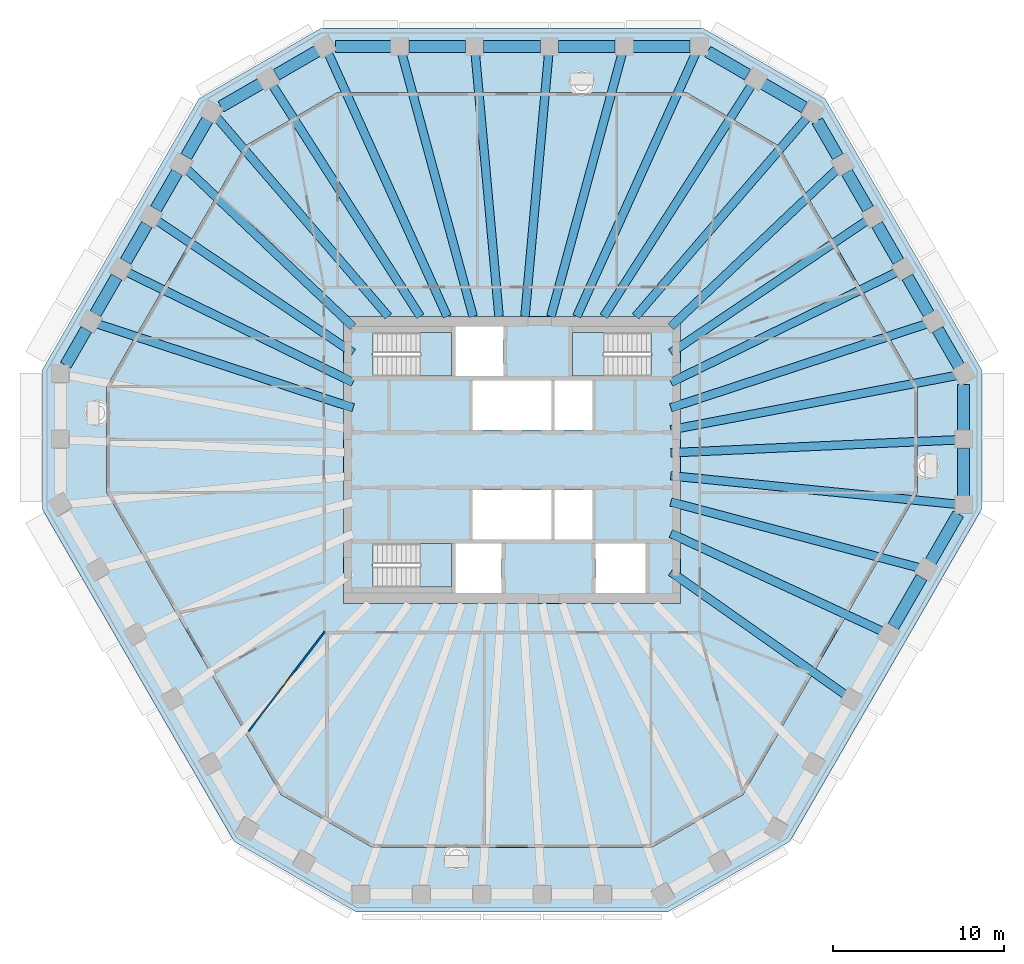
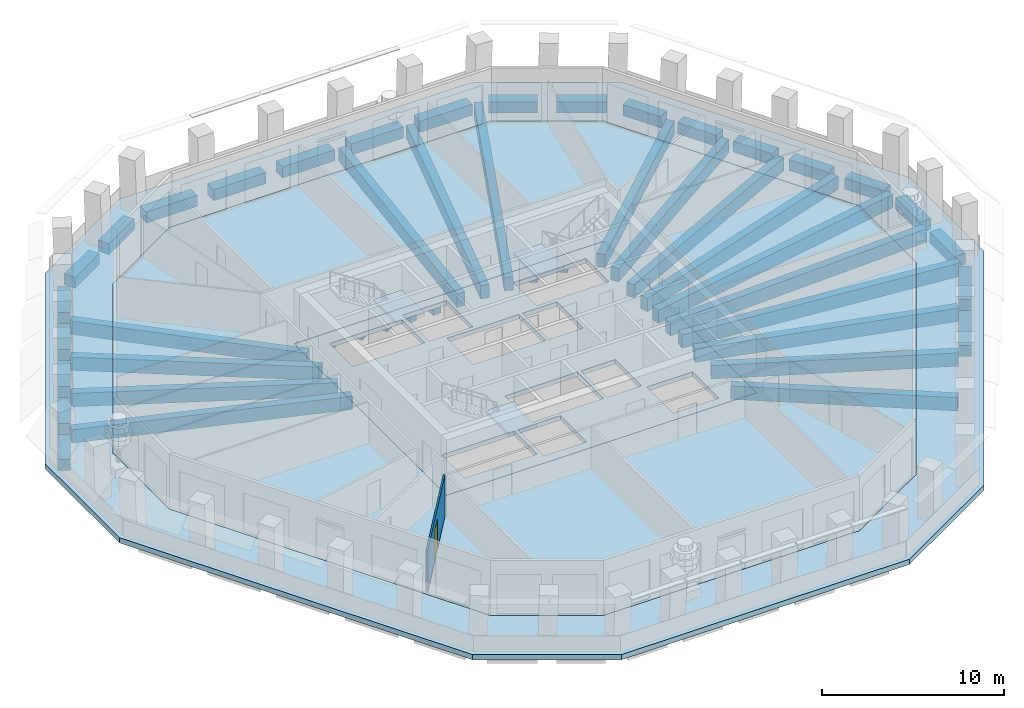
# One storey, part 2 of 12: 47 beams, 6 slabs, 1 door, 1 wall, 1 opening, 3 elements without a shape of their own.
"""IFC4 building model written with IfcOpenShell, lengths in metres."""

from ifc_helpers import new_model, si_unit, direction, frame, frame_2d, origin, origin_2d, place, context, subcontext, project, spatial, polyline, rectangle, outline, extrude, material, layer, layer_set, material_profile, profile_set, type_object, element, fill, aggregate, save


model = new_model("IFC4")

# Units and contexts
model_context = context("Model", 3, precision=1e-05, world=origin(), true_north=direction((0.0, 1.0)))
body_context = subcontext(model_context, "Body", "Model", "MODEL_VIEW")
ifc_project = project(units=[si_unit("LENGTHUNIT", "METRE"), si_unit("AREAUNIT", "SQUARE_METRE"), si_unit("VOLUMEUNIT", "CUBIC_METRE"), si_unit("PLANEANGLEUNIT", "RADIAN"), si_unit("MASSUNIT", "GRAM", prefix="KILO")], contexts=[model_context])

# Site, building, storey
site_placement = place(None, origin())
site = spatial("IfcSite", under=ifc_project, at=site_placement, CompositionType="ELEMENT")
building_placement = place(site_placement, origin())
building = spatial("IfcBuilding", under=site, at=building_placement, Name="Frailejon Research Tower", CompositionType="ELEMENT")
storey_placement = place(building_placement, frame((0.0, 0.0, 249.39990234375)))
storey = spatial("IfcBuildingStorey", under=building, at=storey_placement, Name="L54", CompositionType="ELEMENT", Elevation=249.39990234375)

# Beams
ifc_material_1 = material(Name="Concrete C60/75", Category="concrete")
ifc_material_profile_1 = material_profile(ifc_material_1, rectangle(XDim=0.5, YDim=0.89990234375, at=origin_2d()), Name="Girder 500x900")
ifc_profile_set_1 = profile_set([ifc_material_profile_1], Name="Concrete C60/75")
beam_type_1 = type_object("IfcBeamType", Name="Girder 500x900", PredefinedType="BEAM", material=ifc_profile_set_1)
beam_1_placement = place(storey_placement, frame((26.048095703125, -2.59521484375, -0.75), z_axis=(-0.995073029981, 0.099144667054, 0.0), x_axis=(-0.099144667054, -0.995073029981, 0.0)))
element("IfcBeam", 1, at=beam_1_placement, inside=storey, type_object=beam_type_1, Name="Girder 500x900", PredefinedType="BEAM", context=body_context, shape_type="SweptSolid", body=[
    extrude(rectangle(XDim=0.5, YDim=0.89990234375, at=origin_2d()), origin(), (0.0, 0.0, 1.0), 16.8310546875),
])
beam_2_placement = place(storey_placement, frame((26.048583984375, 1.17724609375, -0.75), z_axis=(-0.998980574844, -0.045142120959, 0.0), x_axis=(0.045142120959, -0.998980574844, 0.0)))
element("IfcBeam", 2, at=beam_2_placement, inside=storey, type_object=beam_type_1, Name="Girder 500x900", PredefinedType="BEAM", context=body_context, shape_type="SweptSolid", body=[
    extrude(rectangle(XDim=0.5, YDim=0.89990234375, at=origin_2d()), origin(), (0.0, 0.0, 1.0), 16.765625),
])
beam_3_placement = place(storey_placement, frame((26.02490234375, 4.945068359375, -0.75), z_axis=(-0.982421690273, -0.186675179071, 0.0), x_axis=(0.186675179071, -0.982421690273, 0.0)))
element("IfcBeam", 3, at=beam_3_placement, inside=storey, type_object=beam_type_1, Name="Girder 500x900", PredefinedType="BEAM", context=body_context, shape_type="SweptSolid", body=[
    extrude(rectangle(XDim=0.5, YDim=0.89990234375, at=origin_2d()), origin(), (0.0, 0.0, 1.0), 17.024169921875),
])
beam_4_placement = place(storey_placement, frame((24.283935546875, 7.970947265625, -0.75), z_axis=(-0.950122347164, -0.311877420503, 0.0), x_axis=(0.311877420503, -0.950122347164, 0.0)))
element("IfcBeam", 4, at=beam_4_placement, inside=storey, type_object=beam_type_1, Name="Girder 500x900", PredefinedType="BEAM", context=body_context, shape_type="SweptSolid", body=[
    extrude(rectangle(XDim=0.5, YDim=0.89990234375, at=origin_2d()), origin(), (0.0, 0.0, 1.0), 15.7705078125),
])
beam_5_placement = place(storey_placement, frame((22.540283203125, 10.996826171875, -0.75), z_axis=(-0.898746464976, -0.438468689525, 0.0), x_axis=(0.438468689525, -0.898746464976, 0.0)))
element("IfcBeam", 5, at=beam_5_placement, inside=storey, type_object=beam_type_1, Name="Girder 500x900", PredefinedType="BEAM", context=body_context, shape_type="SweptSolid", body=[
    extrude(rectangle(XDim=0.5, YDim=0.89990234375, at=origin_2d()), origin(), (0.0, 0.0, 1.0), 14.73193359375),
])
beam_6_placement = place(storey_placement, frame((20.793701171875, 14.02197265625, -0.75), z_axis=(-0.829098898171, -0.559101973751, 0.0), x_axis=(0.559101973751, -0.829098898171, 0.0)))
element("IfcBeam", 6, at=beam_6_placement, inside=storey, type_object=beam_type_1, Name="Girder 500x900", PredefinedType="BEAM", context=body_context, shape_type="SweptSolid", body=[
    extrude(rectangle(XDim=0.5, YDim=0.89990234375, at=origin_2d()), origin(), (0.0, 0.0, 1.0), 13.86279296875),
])
beam_7_placement = place(storey_placement, frame((19.0498046875, 17.034912109375, -0.75), z_axis=(-0.726017650886, -0.687676065166, 0.0), x_axis=(0.687676065166, -0.726017650886, 0.0)))
element("IfcBeam", 7, at=beam_7_placement, inside=storey, type_object=beam_type_1, Name="Girder 500x900", PredefinedType="BEAM", context=body_context, shape_type="SweptSolid", body=[
    extrude(rectangle(XDim=0.5, YDim=0.89990234375, at=origin_2d()), origin(), (0.0, 0.0, 1.0), 13.42919921875),
])
beam_8_placement = place(storey_placement, frame((17.30908203125, 20.08203125, -0.75), z_axis=(-0.652876051476, -0.757464759186, 0.0), x_axis=(0.757464759186, -0.652876051476, 0.0)))
element("IfcBeam", 8, at=beam_8_placement, inside=storey, type_object=beam_type_1, Name="Girder 500x900", PredefinedType="BEAM", context=body_context, shape_type="SweptSolid", body=[
    extrude(rectangle(XDim=0.5, YDim=0.89990234375, at=origin_2d()), origin(), (0.0, 0.0, 1.0), 15.422607421875),
])
beam_9_placement = place(storey_placement, frame((14.043701171875, 21.97021484375, -0.75), z_axis=(-0.538583026425, -0.842572444154, 0.0), x_axis=(0.842572444154, -0.538583026425, 0.0)))
element("IfcBeam", 9, at=beam_9_placement, inside=storey, type_object=beam_type_1, Name="Girder 500x900", PredefinedType="BEAM", context=body_context, shape_type="SweptSolid", body=[
    extrude(rectangle(XDim=0.5, YDim=0.89990234375, at=origin_2d()), origin(), (0.0, 0.0, 1.0), 16.105712890625),
])
beam_10_placement = place(storey_placement, frame((10.756591796875, 23.811767578125, -0.75), z_axis=(-0.411671043761, -0.91133251436, 0.0), x_axis=(0.91133251436, -0.411671043761, 0.0)))
element("IfcBeam", 10, at=beam_10_placement, inside=storey, type_object=beam_type_1, Name="Girder 500x900", PredefinedType="BEAM", context=body_context, shape_type="SweptSolid", body=[
    extrude(rectangle(XDim=0.5, YDim=0.89990234375, at=origin_2d()), origin(), (0.0, 0.0, 1.0), 16.911376953125),
])
beam_11_placement = place(storey_placement, frame((6.456298828125, 23.81982421875, -0.75), z_axis=(-0.261602926392, -0.965175584494, 0.0), x_axis=(0.965175584494, -0.261602926392, 0.0)))
element("IfcBeam", 11, at=beam_11_placement, inside=storey, type_object=beam_type_1, Name="Girder 500x900", PredefinedType="BEAM", context=body_context, shape_type="SweptSolid", body=[
    extrude(rectangle(XDim=0.5, YDim=0.89990234375, at=origin_2d()), origin(), (0.0, 0.0, 1.0), 15.976318359375),
])
for number, where, z_axis, x_axis, name in (
    (12, (2.152587890625, 23.824462890625, -0.75), (-0.089995628197, -0.995942160422, 0.0), (0.995942160422, -0.089995628197, 0.0), "Girder 500x900"),
    (13, (-2.152587890625, 23.824462890625, -0.75), (0.089995628197, -0.995942160422, 0.0), (0.995942160422, 0.089995628197, 0.0), "Girder 500x900"),
):
    element("IfcBeam", number, at=place(storey_placement, frame(where, z_axis=z_axis, x_axis=x_axis)), inside=storey, type_object=beam_type_1, Name=name, PredefinedType="BEAM", context=body_context, shape_type="SweptSolid", body=[
        extrude(rectangle(XDim=0.5, YDim=0.89990234375, at=origin_2d()), origin(), (0.0, 0.0, 1.0), 15.4873046875),
    ])
beam_12_placement = place(storey_placement, frame((-6.456298828125, 23.81982421875, -0.75), z_axis=(0.261602926392, -0.965175584494, 0.0), x_axis=(0.965175584494, 0.261602926392, 0.0)))
element("IfcBeam", 14, at=beam_12_placement, inside=storey, type_object=beam_type_1, Name="Girder 500x900", PredefinedType="BEAM", context=body_context, shape_type="SweptSolid", body=[
    extrude(rectangle(XDim=0.5, YDim=0.89990234375, at=origin_2d()), origin(), (0.0, 0.0, 1.0), 15.976318359375),
])
beam_13_placement = place(storey_placement, frame((-10.776611328125, 23.85595703125, -0.75), z_axis=(0.411673888012, -0.911331229537, 0.0), x_axis=(0.911331229537, 0.411673888012, 0.0)))
element("IfcBeam", 15, at=beam_13_placement, inside=storey, type_object=beam_type_1, Name="Girder 500x900", PredefinedType="BEAM", context=body_context, shape_type="SweptSolid", body=[
    extrude(rectangle(XDim=0.5, YDim=0.89990234375, at=origin_2d()), origin(), (0.0, 0.0, 1.0), 16.9599609375),
])
beam_14_placement = place(storey_placement, frame((-14.043701171875, 21.97021484375, -0.75), z_axis=(0.538583026425, -0.842572444154, 0.0), x_axis=(0.842572444154, 0.538583026425, 0.0)))
element("IfcBeam", 16, at=beam_14_placement, inside=storey, type_object=beam_type_1, Name="Girder 500x900", PredefinedType="BEAM", context=body_context, shape_type="SweptSolid", body=[
    extrude(rectangle(XDim=0.5, YDim=0.89990234375, at=origin_2d()), origin(), (0.0, 0.0, 1.0), 16.105712890625),
])
beam_15_placement = place(storey_placement, frame((-17.295166015625, 20.065673828125, -0.75), z_axis=(0.652882862083, -0.757458888916, 0.0), x_axis=(0.757458888916, 0.652882862083, 0.0)))
element("IfcBeam", 17, at=beam_15_placement, inside=storey, type_object=beam_type_1, Name="Girder 500x900", PredefinedType="BEAM", context=body_context, shape_type="SweptSolid", body=[
    extrude(rectangle(XDim=0.5, YDim=0.89990234375, at=origin_2d()), origin(), (0.0, 0.0, 1.0), 15.401123046875),
])
beam_16_placement = place(storey_placement, frame((-19.0498046875, 17.034912109375, -0.75), z_axis=(0.726017650886, -0.687676065166, 0.0), x_axis=(0.687676065166, 0.726017650886, 0.0)))
element("IfcBeam", 18, at=beam_16_placement, inside=storey, type_object=beam_type_1, Name="Girder 500x900", PredefinedType="BEAM", context=body_context, shape_type="SweptSolid", body=[
    extrude(rectangle(XDim=0.5, YDim=0.89990234375, at=origin_2d()), origin(), (0.0, 0.0, 1.0), 13.42919921875),
])
beam_17_placement = place(storey_placement, frame((-20.793701171875, 14.02197265625, -0.75), z_axis=(0.829098898171, -0.559101973751, 0.0), x_axis=(0.559101973751, 0.829098898171, 0.0)))
element("IfcBeam", 19, at=beam_17_placement, inside=storey, type_object=beam_type_1, Name="Girder 500x900", PredefinedType="BEAM", context=body_context, shape_type="SweptSolid", body=[
    extrude(rectangle(XDim=0.5, YDim=0.89990234375, at=origin_2d()), origin(), (0.0, 0.0, 1.0), 13.86279296875),
])
beam_18_placement = place(storey_placement, frame((-22.540283203125, 10.996826171875, -0.75), z_axis=(0.898746464976, -0.438468689525, 0.0), x_axis=(0.438468689525, 0.898746464976, 0.0)))
element("IfcBeam", 20, at=beam_18_placement, inside=storey, type_object=beam_type_1, Name="Girder 500x900", PredefinedType="BEAM", context=body_context, shape_type="SweptSolid", body=[
    extrude(rectangle(XDim=0.5, YDim=0.89990234375, at=origin_2d()), origin(), (0.0, 0.0, 1.0), 14.73193359375),
])
beam_19_placement = place(storey_placement, frame((-24.283935546875, 7.970947265625, -0.75), z_axis=(0.950122347164, -0.311877420503, 0.0), x_axis=(0.311877420503, 0.950122347164, 0.0)))
element("IfcBeam", 21, at=beam_19_placement, inside=storey, type_object=beam_type_1, Name="Girder 500x900", PredefinedType="BEAM", context=body_context, shape_type="SweptSolid", body=[
    extrude(rectangle(XDim=0.5, YDim=0.89990234375, at=origin_2d()), origin(), (0.0, 0.0, 1.0), 15.7705078125),
])
beam_20_placement = place(storey_placement, frame((19.556396484375, -13.7763671875, -0.75), z_axis=(-0.817518664776, 0.575902103437, 0.0), x_axis=(-0.575902103437, -0.817518664776, 0.0)))
element("IfcBeam", 22, at=beam_20_placement, inside=storey, type_object=beam_type_1, Name="Girder 500x900", PredefinedType="BEAM", context=body_context, shape_type="SweptSolid", body=[
    extrude(rectangle(XDim=0.5, YDim=0.89990234375, at=origin_2d()), origin(), (0.0, 0.0, 1.0), 12.545654296875),
])
beam_21_placement = place(storey_placement, frame((21.708740234375, -10.048095703125, -0.75), z_axis=(-0.907504721421, 0.420041879578, 0.0), x_axis=(-0.420041879578, -0.907504721421, 0.0)))
element("IfcBeam", 23, at=beam_21_placement, inside=storey, type_object=beam_type_1, Name="Girder 500x900", PredefinedType="BEAM", context=body_context, shape_type="SweptSolid", body=[
    extrude(rectangle(XDim=0.5, YDim=0.89990234375, at=origin_2d()), origin(), (0.0, 0.0, 1.0), 13.67333984375),
])
beam_22_placement = place(storey_placement, frame((23.856689453125, -6.318603515625, -0.75), z_axis=(-0.966668414812, 0.256031591418, 0.0), x_axis=(-0.256031591418, -0.966668414812, 0.0)))
element("IfcBeam", 24, at=beam_22_placement, inside=storey, type_object=beam_type_1, Name="Girder 500x900", PredefinedType="BEAM", context=body_context, shape_type="SweptSolid", body=[
    extrude(rectangle(XDim=0.5, YDim=0.89990234375, at=origin_2d()), origin(), (0.0, 0.0, 1.0), 15.05859375),
])
ifc_material_2 = material(Name="Concrete C60/75", Category="concrete")
ifc_material_profile_2 = material_profile(ifc_material_2, rectangle(XDim=0.699951171875, YDim=0.75, at=origin_2d()), Name="Spandrel 700x750")
ifc_profile_set_2 = profile_set([ifc_material_profile_2], Name="Concrete C60/75")
beam_type_2 = type_object("IfcBeamType", Name="Spandrel 700x750", PredefinedType="BEAM", material=ifc_profile_set_2)
beam_23_placement = place(storey_placement, frame((26.423828125, -2.107421875, -0.724853515625), z_axis=(0.0, 1.0, 0.0), x_axis=(-1.0, 0.0, 0.0)))
element("IfcBeam", 25, at=beam_23_placement, inside=storey, type_object=beam_type_2, Name="Spandrel 700x750", PredefinedType="BEAM", context=body_context, shape_type="SweptSolid", body=[
    extrude(rectangle(XDim=0.699951171875, YDim=0.75, at=origin_2d()), origin(), (0.0, 0.0, 1.0), 2.776611328125),
])
beam_24_placement = place(storey_placement, frame((26.423828125, 1.71923828125, -0.724853515625), z_axis=(0.0, 1.0, 0.0), x_axis=(-1.0, 0.0, 0.0)))
element("IfcBeam", 26, at=beam_24_placement, inside=storey, type_object=beam_type_2, Name="Spandrel 700x750", PredefinedType="BEAM", context=body_context, shape_type="SweptSolid", body=[
    extrude(rectangle(XDim=0.699951171875, YDim=0.75, at=origin_2d()), origin(), (0.0, 0.0, 1.0), 2.695556640625),
])
for number, where, z_axis, x_axis, name in (
    (27, (26.161376953125, 5.4755859375, -0.724853515625), (-0.500021675881, 0.866012888847, 0.0), (-0.866012888847, -0.500021675881, 0.0), "Spandrel 700x750"),
    (28, (24.388671875, 8.546142578125, -0.724853515625), (-0.500021675881, 0.866012888847, 0.0), (-0.866012888847, -0.500021675881, 0.0), "Spandrel 700x750"),
):
    element("IfcBeam", number, at=place(storey_placement, frame(where, z_axis=z_axis, x_axis=x_axis)), inside=storey, type_object=beam_type_2, Name=name, PredefinedType="BEAM", context=body_context, shape_type="SweptSolid", body=[
        extrude(rectangle(XDim=0.699951171875, YDim=0.75, at=origin_2d()), origin(), (0.0, 0.0, 1.0), 2.49560546875),
    ])
beam_25_placement = place(storey_placement, frame((22.615966796875, 11.61669921875, -0.724853515625), z_axis=(-0.500064042792, 0.865988425504, 0.0), x_axis=(-0.865988425504, -0.500064042792, 0.0)))
element("IfcBeam", 29, at=beam_25_placement, inside=storey, type_object=beam_type_2, Name="Spandrel 700x750", PredefinedType="BEAM", context=body_context, shape_type="SweptSolid", body=[
    extrude(rectangle(XDim=0.699951171875, YDim=0.75, at=origin_2d()), origin(), (0.0, 0.0, 1.0), 2.495361328125),
])
beam_26_placement = place(storey_placement, frame((20.84326171875, 14.68701171875, -0.724853515625), z_axis=(-0.500021675881, 0.866012888847, 0.0), x_axis=(-0.866012888847, -0.500021675881, 0.0)))
element("IfcBeam", 30, at=beam_26_placement, inside=storey, type_object=beam_type_2, Name="Spandrel 700x750", PredefinedType="BEAM", context=body_context, shape_type="SweptSolid", body=[
    extrude(rectangle(XDim=0.699951171875, YDim=0.75, at=origin_2d()), origin(), (0.0, 0.0, 1.0), 2.49560546875),
])
beam_27_placement = place(storey_placement, frame((19.0703125, 17.757568359375, -0.724853515625), z_axis=(-0.499967560512, 0.866044131922, 0.0), x_axis=(-0.866044131922, -0.499967560512, 0.0)))
element("IfcBeam", 31, at=beam_27_placement, inside=storey, type_object=beam_type_2, Name="Spandrel 700x750", PredefinedType="BEAM", context=body_context, shape_type="SweptSolid", body=[
    extrude(rectangle(XDim=0.699951171875, YDim=0.75, at=origin_2d()), origin(), (0.0, 0.0, 1.0), 2.414306640625),
])
beam_28_placement = place(storey_placement, frame((17.10546875, 20.6357421875, -0.724853515625), z_axis=(-0.866021602438, 0.500006584067, 0.0), x_axis=(-0.500006584067, -0.866021602438, 0.0)))
element("IfcBeam", 32, at=beam_28_placement, inside=storey, type_object=beam_type_2, Name="Spandrel 700x750", PredefinedType="BEAM", context=body_context, shape_type="SweptSolid", body=[
    extrude(rectangle(XDim=0.699951171875, YDim=0.75, at=origin_2d()), origin(), (0.0, 0.0, 1.0), 2.77685546875),
])
beam_29_placement = place(storey_placement, frame((13.79150390625, 22.549072265625, -0.724853515625), z_axis=(-0.866010629317, 0.500025589255, 0.0), x_axis=(-0.500025589255, -0.866010629317, 0.0)))
element("IfcBeam", 33, at=beam_29_placement, inside=storey, type_object=beam_type_2, Name="Spandrel 700x750", PredefinedType="BEAM", context=body_context, shape_type="SweptSolid", body=[
    extrude(rectangle(XDim=0.699951171875, YDim=0.75, at=origin_2d()), origin(), (0.0, 0.0, 1.0), 2.695556640625),
])
for number, where, z_axis, x_axis, name in (
    (34, (10.406982421875, 24.199951171875, -0.724853515625), (-1.0, 0.0, 0.0), (0.0, -1.0, 0.0), "Spandrel 700x750"),
    (35, (6.0341796875, 24.199951171875, -0.724853515625), (-1.0, 0.0, 0.0), (0.0, -1.0, 0.0), "Spandrel 700x750"),
    (36, (1.661376953125, 24.199951171875, -0.724853515625), (-1.0, 0.0, 0.0), (0.0, -1.0, 0.0), "Spandrel 700x750"),
    (37, (-2.71142578125, 24.199951171875, -0.724853515625), (-1.0, 0.0, 0.0), (0.0, -1.0, 0.0), "Spandrel 700x750"),
):
    element("IfcBeam", number, at=place(storey_placement, frame(where, z_axis=z_axis, x_axis=x_axis)), inside=storey, type_object=beam_type_2, Name=name, PredefinedType="BEAM", context=body_context, shape_type="SweptSolid", body=[
        extrude(rectangle(XDim=0.699951171875, YDim=0.75, at=origin_2d()), origin(), (0.0, 0.0, 1.0), 3.32275390625),
    ])
beam_30_placement = place(storey_placement, frame((-7.084228515625, 24.199951171875, -0.724853515625), z_axis=(-1.0, 0.0, 0.0), x_axis=(0.0, -1.0, 0.0)))
element("IfcBeam", 38, at=beam_30_placement, inside=storey, type_object=beam_type_2, Name="Spandrel 700x750", PredefinedType="BEAM", context=body_context, shape_type="SweptSolid", body=[
    extrude(rectangle(XDim=0.699951171875, YDim=0.75, at=origin_2d()), origin(), (0.0, 0.0, 1.0), 3.24169921875),
])
beam_31_placement = place(storey_placement, frame((-11.38671875, 23.9375, -0.724853515625), z_axis=(-0.866021602438, -0.500006584067, 0.0), x_axis=(0.500006584067, -0.866021602438, 0.0)))
element("IfcBeam", 39, at=beam_31_placement, inside=storey, type_object=beam_type_2, Name="Spandrel 700x750", PredefinedType="BEAM", context=body_context, shape_type="SweptSolid", body=[
    extrude(rectangle(XDim=0.699951171875, YDim=0.75, at=origin_2d()), origin(), (0.0, 0.0, 1.0), 2.77685546875),
])
beam_32_placement = place(storey_placement, frame((-14.70068359375, 22.024169921875, -0.724853515625), z_axis=(-0.866049846835, -0.499957661005, 0.0), x_axis=(0.499957661005, -0.866049846835, 0.0)))
element("IfcBeam", 40, at=beam_32_placement, inside=storey, type_object=beam_type_2, Name="Spandrel 700x750", PredefinedType="BEAM", context=body_context, shape_type="SweptSolid", body=[
    extrude(rectangle(XDim=0.699951171875, YDim=0.75, at=origin_2d()), origin(), (0.0, 0.0, 1.0), 2.695556640625),
])
beam_33_placement = place(storey_placement, frame((-17.82275390625, 19.918701171875, -0.724853515625), z_axis=(-0.499948298277, -0.866055251731, 0.0), x_axis=(0.866055251731, -0.499948298277, 0.0)))
element("IfcBeam", 41, at=beam_33_placement, inside=storey, type_object=beam_type_2, Name="Spandrel 700x750", PredefinedType="BEAM", context=body_context, shape_type="SweptSolid", body=[
    extrude(rectangle(XDim=0.699951171875, YDim=0.75, at=origin_2d()), origin(), (0.0, 0.0, 1.0), 2.495361328125),
])
beam_34_placement = place(storey_placement, frame((-19.595458984375, 16.84814453125, -0.724853515625), z_axis=(-0.500021675881, -0.866012888847, 0.0), x_axis=(0.866012888847, -0.500021675881, 0.0)))
element("IfcBeam", 42, at=beam_34_placement, inside=storey, type_object=beam_type_2, Name="Spandrel 700x750", PredefinedType="BEAM", context=body_context, shape_type="SweptSolid", body=[
    extrude(rectangle(XDim=0.699951171875, YDim=0.75, at=origin_2d()), origin(), (0.0, 0.0, 1.0), 2.49560546875),
])
beam_35_placement = place(storey_placement, frame((-21.3681640625, 13.777587890625, -0.724853515625), z_axis=(-0.500064042792, -0.865988425504, 0.0), x_axis=(0.865988425504, -0.500064042792, 0.0)))
element("IfcBeam", 43, at=beam_35_placement, inside=storey, type_object=beam_type_2, Name="Spandrel 700x750", PredefinedType="BEAM", context=body_context, shape_type="SweptSolid", body=[
    extrude(rectangle(XDim=0.699951171875, YDim=0.75, at=origin_2d()), origin(), (0.0, 0.0, 1.0), 2.495361328125),
])
beam_36_placement = place(storey_placement, frame((-23.140869140625, 10.707275390625, -0.724853515625), z_axis=(-0.500021675881, -0.866012888847, 0.0), x_axis=(0.866012888847, -0.500021675881, 0.0)))
element("IfcBeam", 44, at=beam_36_placement, inside=storey, type_object=beam_type_2, Name="Spandrel 700x750", PredefinedType="BEAM", context=body_context, shape_type="SweptSolid", body=[
    extrude(rectangle(XDim=0.699951171875, YDim=0.75, at=origin_2d()), origin(), (0.0, 0.0, 1.0), 2.49560546875),
])
beam_37_placement = place(storey_placement, frame((-24.91357421875, 7.63671875, -0.724853515625), z_axis=(-0.500043402633, -0.866000343812, 0.0), x_axis=(0.866000343812, -0.500043402633, 0.0)))
element("IfcBeam", 45, at=beam_37_placement, inside=storey, type_object=beam_type_2, Name="Spandrel 700x750", PredefinedType="BEAM", context=body_context, shape_type="SweptSolid", body=[
    extrude(rectangle(XDim=0.699951171875, YDim=0.75, at=origin_2d()), origin(), (0.0, 0.0, 1.0), 2.414306640625),
])
beam_38_placement = place(storey_placement, frame((22.3134765625, -9.751708984375, -0.724853515625), z_axis=(0.500019272882, 0.866014276295, 0.0), x_axis=(-0.866014276295, 0.500019272882, 0.0)))
element("IfcBeam", 46, at=beam_38_placement, inside=storey, type_object=beam_type_2, Name="Spandrel 700x750", PredefinedType="BEAM", context=body_context, shape_type="SweptSolid", body=[
    extrude(rectangle(XDim=0.699951171875, YDim=0.75, at=origin_2d()), origin(), (0.0, 0.0, 1.0), 3.322509765625),
])
beam_39_placement = place(storey_placement, frame((24.5, -5.96484375, -0.724853515625), z_axis=(0.500002782129, 0.866023797515, 0.0), x_axis=(-0.866023797515, 0.500002782129, 0.0)))
element("IfcBeam", 47, at=beam_39_placement, inside=storey, type_object=beam_type_2, Name="Spandrel 700x750", PredefinedType="BEAM", context=body_context, shape_type="SweptSolid", body=[
    extrude(rectangle(XDim=0.699951171875, YDim=0.75, at=origin_2d()), origin(), (0.0, 0.0, 1.0), 3.24169921875),
])

# Slabs
ifc_material_3 = material(Name="Concrete C60/75", Category="concrete")
ifc_layer_1 = layer(ifc_material_3, 0.300048828125)
ifc_layer_set_1 = layer_set([ifc_layer_1], Name="Core floor slab 300 C60/75")
slab_type_1 = type_object("IfcSlabType", Name="Core floor slab 300 C60/75", PredefinedType="FLOOR", material=ifc_layer_set_1)
slab_1_placement = place(storey_placement, frame((0.0, 0.0, -0.2998046875)))
element("IfcSlab", 48, at=slab_1_placement, inside=storey, type_object=slab_type_1, Name="Core floor slab", PredefinedType="FLOOR", context=body_context, shape_type="SweptSolid", body=[
    extrude(outline(polyline([(9.85009765625, -8.39990234375), (9.85009765625, 8.39990234375), (-9.85009765625, 8.39990234375), (-9.85009765625, -8.39990234375), (9.85009765625, -8.39990234375)]), holes=[polyline([(2.300048828125, 1.75), (2.300048828125, 4.64990234375), (-2.300048828125, 4.64990234375), (-2.300048828125, 1.75), (2.300048828125, 1.75)]), polyline([(4.699951171875, 1.75), (4.699951171875, 4.64990234375), (2.5, 4.64990234375), (2.5, 1.75), (4.699951171875, 1.75)]), polyline([(2.300048828125, -4.64990234375), (2.300048828125, -1.75), (-2.300048828125, -1.75), (-2.300048828125, -4.64990234375), (2.300048828125, -4.64990234375)]), polyline([(4.699951171875, -4.64990234375), (4.699951171875, -1.75), (2.5, -1.75), (2.5, -4.64990234375), (4.699951171875, -4.64990234375)]), polyline([(-8.14697265625, 4.89990234375), (-3.550048828125, 4.89990234375), (-3.550048828125, 7.449951171875), (-8.14697265625, 7.449951171875), (-8.14697265625, 4.89990234375)]), polyline([(-8.14697265625, -7.449951171875), (-3.550048828125, -7.449951171875), (-3.550048828125, -4.89990234375), (-8.14697265625, -4.89990234375), (-8.14697265625, -7.449951171875)]), polyline([(8.14697265625, 7.449951171875), (3.550048828125, 7.449951171875), (3.550048828125, 4.89990234375), (8.14697265625, 4.89990234375), (8.14697265625, 7.449951171875)]), polyline([(-0.60009765625, -7.800048828125), (-0.60009765625, -4.89990234375), (-3.300048828125, -4.89990234375), (-3.300048828125, -7.800048828125), (-0.60009765625, -7.800048828125)]), polyline([(7.800048828125, -7.800048828125), (7.800048828125, -4.89990234375), (4.89990234375, -4.89990234375), (4.89990234375, -7.800048828125), (7.800048828125, -7.800048828125)]), polyline([(-0.5, 4.89990234375), (-0.5, 7.800048828125), (-3.300048828125, 7.800048828125), (-3.300048828125, 4.89990234375), (-0.5, 4.89990234375)])]), origin(), (0.0, 0.0, 1.0), 0.2998046875),
])
ifc_material_4 = material(Name="Concrete C40/50", Category="concrete")
ifc_layer_2 = layer(ifc_material_4, 0.35009765625)
ifc_layer_set_2 = layer_set([ifc_layer_2], Name="Loggia slab 350")
slab_type_2 = type_object("IfcSlabType", Name="Loggia slab 350", PredefinedType="USERDEFINED", material=ifc_layer_set_2)
slab_2_placement = place(storey_placement, frame((0.0, 0.0, -0.349853515625)))
element("IfcSlab", 49, at=slab_2_placement, inside=storey, type_object=slab_type_2, Name="Loggia slab L54", ObjectType="LOGGIA", PredefinedType="USERDEFINED", context=body_context, shape_type="SweptSolid", body=[
    extrude(outline(polyline([(16.260498046875, -22.336181640625), (9.14501953125, -26.444091796875), (-9.14501953125, -26.444091796875), (-16.260498046875, -22.336181640625), (-27.473876953125, -2.913818359375), (-27.473876953125, 5.30224609375), (-18.328857421875, 21.141845703125), (-11.21337890625, 25.25), (11.21337890625, 25.25), (18.328857421875, 21.141845703125), (27.473876953125, 5.30224609375), (27.473876953125, -2.913818359375), (16.260498046875, -22.336181640625)]), holes=[polyline([(23.723876953125, 4.297607421875), (15.58349609375, 18.396728515625), (10.20849609375, 21.5), (-10.20849609375, 21.5), (-15.58349609375, 18.396728515625), (-23.723876953125, 4.297607421875), (-23.723876953125, -1.9091796875), (-13.51513671875, -19.5908203125), (-8.14013671875, -22.694091796875), (8.14013671875, -22.694091796875), (13.51513671875, -19.5908203125), (23.723876953125, -1.9091796875), (23.723876953125, 4.297607421875)])]), origin(), (0.0, 0.0, 1.0), 0.349853515625),
])
ifc_material_5 = material(Name="Concrete C40/50", Category="concrete")
ifc_layer_3 = layer(ifc_material_5, 0.300048828125)
ifc_layer_set_3 = layer_set([ifc_layer_3], Name="Slab typical 300")
slab_type_3 = type_object("IfcSlabType", Name="Slab typical 300", PredefinedType="FLOOR", material=ifc_layer_set_3)
slab_3_placement = place(storey_placement, frame((0.0, 0.0, -0.2998046875)))
element("IfcSlab", 50, at=slab_3_placement, inside=storey, type_object=slab_type_3, Name="Floor slab L54", PredefinedType="FLOOR", context=body_context, shape_type="SweptSolid", body=[
    extrude(outline(polyline([(23.723876953125, -1.9091796875), (23.723876953125, 4.297607421875), (15.58349609375, 18.396728515625), (10.20849609375, 21.5), (-10.20849609375, 21.5), (-15.58349609375, 18.396728515625), (-23.723876953125, 4.297607421875), (-23.723876953125, -1.9091796875), (-13.51513671875, -19.5908203125), (-8.14013671875, -22.694091796875), (8.14013671875, -22.694091796875), (13.51513671875, -19.5908203125), (23.723876953125, -1.9091796875)]), holes=[polyline([(9.300048828125, 8.39990234375), (9.85009765625, 8.39990234375), (9.85009765625, -8.39990234375), (9.300048828125, -8.39990234375), (-9.300048828125, -8.39990234375), (-9.85009765625, -8.39990234375), (-9.85009765625, 8.39990234375), (-9.300048828125, 8.39990234375), (9.300048828125, 8.39990234375)])]), origin(), (0.0, 0.0, 1.0), 0.2998046875),
])

# Stair, slab
ifc_material_6 = material(Name="Concrete C50/60", Category="concrete")
stair_type = type_object("IfcStairType", Name="Exit stair 22 risers", PredefinedType="HALF_TURN_STAIR", material=ifc_material_6)
stair_1_placement = place(storey_placement, origin())
stair_1 = element("IfcStair", 51, at=stair_1_placement, inside=storey, type_object=stair_type, Name="L54 Exit stair ST1", PredefinedType="HALF_TURN_STAIR")
ifc_material_7 = material(Name="Concrete C50/60", Category="concrete")
ifc_layer_4 = layer(ifc_material_7, 0.199951171875)
ifc_layer_set_4 = layer_set([ifc_layer_4], Name="Stair landing slab 200")
slab_type_4 = type_object("IfcSlabType", Name="Stair landing slab 200", PredefinedType="LANDING", material=ifc_layer_set_4)
slab_4_placement = place(storey_placement, frame((0.0, 0.0, 1.800048828125)))
slab_4 = element("IfcSlab", 52, at=slab_4_placement, type_object=slab_type_4, Name="ST1 landing 1", PredefinedType="LANDING", context=body_context, shape_type="SweptSolid", body=[
    extrude(outline(polyline([(-5.35009765625, 4.89990234375), (-3.550048828125, 4.89990234375), (-3.550048828125, 7.449951171875), (-5.35009765625, 7.449951171875), (-5.35009765625, 4.89990234375)])), origin(), (0.0, 0.0, 1.0), 0.199951171875),
])
aggregate(stair_1, [slab_4])

stair_2_placement = place(storey_placement, origin())
stair_2 = element("IfcStair", 53, at=stair_2_placement, inside=storey, type_object=stair_type, Name="L54 Exit stair ST2", PredefinedType="HALF_TURN_STAIR")
slab_5_placement = place(storey_placement, frame((0.0, 0.0, 1.800048828125)))
slab_5 = element("IfcSlab", 54, at=slab_5_placement, type_object=slab_type_4, Name="ST2 landing 1", PredefinedType="LANDING", context=body_context, shape_type="SweptSolid", body=[
    extrude(outline(polyline([(-5.35009765625, -7.449951171875), (-3.550048828125, -7.449951171875), (-3.550048828125, -4.89990234375), (-5.35009765625, -4.89990234375), (-5.35009765625, -7.449951171875)])), origin(), (0.0, 0.0, 1.0), 0.199951171875),
])
aggregate(stair_2, [slab_5])

stair_3_placement = place(storey_placement, origin())
stair_3 = element("IfcStair", 55, at=stair_3_placement, inside=storey, type_object=stair_type, Name="L54 Exit stair ST3", PredefinedType="HALF_TURN_STAIR")
slab_6_placement = place(storey_placement, frame((0.0, 0.0, 1.800048828125)))
slab_6 = element("IfcSlab", 56, at=slab_6_placement, type_object=slab_type_4, Name="ST3 landing 1", PredefinedType="LANDING", context=body_context, shape_type="SweptSolid", body=[
    extrude(outline(polyline([(5.35009765625, 7.449951171875), (3.550048828125, 7.449951171875), (3.550048828125, 4.89990234375), (5.35009765625, 4.89990234375), (5.35009765625, 7.449951171875)])), origin(), (0.0, 0.0, 1.0), 0.199951171875),
])
aggregate(stair_3, [slab_6])

# Wall, opening, door
ifc_material_8 = material(Name="Gypsum board and masonry partition", Category="masonry")
ifc_layer_5 = layer(ifc_material_8, 0.10009765625)
ifc_layer_set_5 = layer_set([ifc_layer_5], Name="Partition, gypsum on steel studs 100")
wall_type = type_object("IfcWallType", Name="Partition, gypsum on steel studs 100", PredefinedType="PARTITIONING", material=ifc_layer_set_5)
wall_placement = place(storey_placement, frame((-15.42529296875, -15.882568359375, 0.0), z_axis=(0.0, 0.0, 1.0), x_axis=(0.607734612905, 0.79414018931, 0.0)))
wall = element("IfcWall", 57, at=wall_placement, inside=storey, type_object=wall_type, Name="T:IW:L54:026", PredefinedType="PARTITIONING", context=body_context, shape_type="SweptSolid", body=[
    extrude(rectangle(XDim=7.356689453125, YDim=0.10009765625, at=frame_2d((3.67822265625, 0.0))), origin(), (0.0, 0.0, 1.0), 2.800048828125),
])
opening_placement = place(wall_placement, frame((3.140869140625, 0.0, 0.0)))
opening = element("IfcOpeningElement", 58, at=opening_placement, cuts=wall, Name="Opening D2065", PredefinedType="OPENING", context=body_context, shape_type="SweptSolid", body=[
    extrude(rectangle(XDim=1.0, YDim=2.10009765625, at=frame_2d((0.5, 1.050048828125))), frame((0.0, 0.06005859375, 0.0), z_axis=(0.0, -1.0, 0.0), x_axis=(1.0, 0.0, 0.0)), (0.0, 0.0, 1.0), 0.1201171875),
])
ifc_material_9 = material(Name="Timber door leaf", Category="wood")
door_type = type_object("IfcDoorType", Name="Door single leaf, timber, steel frame 1000", OperationType="NOTDEFINED", PredefinedType="DOOR", material=ifc_material_9)
door_placement = place(opening_placement, origin())
door = element("IfcDoor", 59, at=door_placement, inside=storey, type_object=door_type, Name="D2065", OperationType="SINGLE_SWING_RIGHT", OverallHeight=2.10009765625, OverallWidth=1.0, PredefinedType="DOOR", context=body_context, shape_type="SweptSolid", body=[
    extrude(rectangle(XDim=1.0, YDim=2.10009765625, at=frame_2d((0.5, 1.050048828125))), frame((0.0, 0.02490234375, 0.0), z_axis=(0.0, -1.0, 0.0), x_axis=(1.0, 0.0, 0.0)), (0.0, 0.0, 1.0), 0.050048828125),
])
fill(opening, door)

save(model, "model.ifc")
